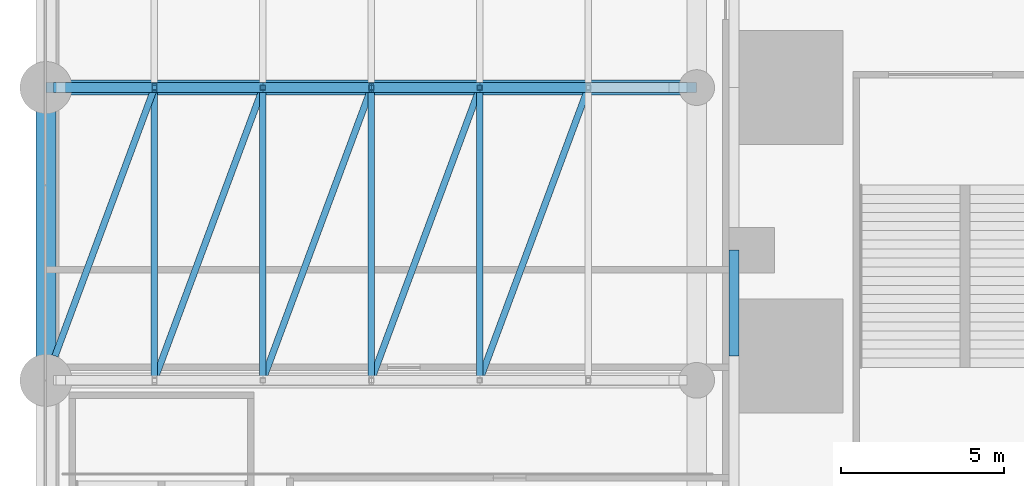
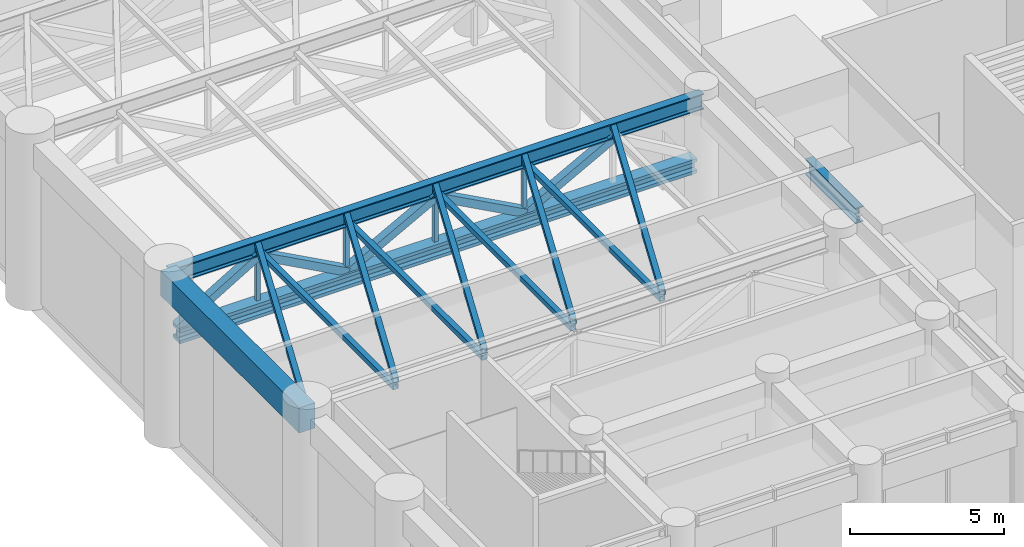
# One storey, part 5 of 30: 20 members, 2 beams.
"""IFC4 building model written with IfcOpenShell, lengths in metres."""

import ifcopenshell
import ifcopenshell.guid

model = None  # the IFC model being written
_history = None  # IfcOwnerHistory: only IFC2X3 demands one
_inside = {}  # id of a spatial element -> (the spatial element, [elements in it])
_under = {}  # id of a project, library or spatial element -> (it, [spatial elements below it])
_declared = {}  # id of a project -> (the project, [libraries it declares])
_typed = {}  # id of a type object -> (the type object, [elements of that type])
_made_of = {}  # id of a material, layer set ... -> (it, [elements and type objects made of it])


def new_model(schema):
    """Start an empty IFC model of exactly this schema.

    Asked for "IFC4X3", IfcOpenShell would pick the latest addendum, in which some entities
    have other attributes; the version numbers below select the first issue.
    IFC2X3 requires an IfcOwnerHistory on every rooted entity: one is made here for all.
    """
    global model, _history
    if schema == "IFC4X3":
        model = ifcopenshell.file(schema_version=(4, 3, 0, 0))
    else:
        model = ifcopenshell.file(schema=schema)
    _inside.clear()
    _under.clear()
    _declared.clear()
    _typed.clear()
    _made_of.clear()
    _history = None
    if model.schema == "IFC2X3":
        org = make("IfcOrganization", Name="unknown")
        user = make(
            "IfcPersonAndOrganization",
            ThePerson=make("IfcPerson", FamilyName="unknown"),
            TheOrganization=org,
        )
        app = make(
            "IfcApplication",
            ApplicationDeveloper=org,
            Version="unknown",
            ApplicationFullName="unknown",
            ApplicationIdentifier="unknown",
        )
        _history = make(
            "IfcOwnerHistory",
            OwningUser=user,
            OwningApplication=app,
            ChangeAction="ADDED",
            CreationDate=0,
        )
    return model


def make(cls, **values):
    """One entity of the class cls with the attributes given. An attribute that is None is left unset."""
    return model.create_entity(
        cls, **{name: value for name, value in values.items() if value is not None}
    )


def rooted(cls, **values):
    """An entity with a GlobalId (a new one), such as an element, a storey or a relation."""
    return make(cls, GlobalId=ifcopenshell.guid.new(), OwnerHistory=_history, **values)


def si_unit(unit_type, name, prefix=None):
    """IfcSIUnit, for example si_unit("LENGTHUNIT", "METRE", prefix="MILLI")."""
    return make("IfcSIUnit", UnitType=unit_type, Prefix=prefix, Name=name)


def assignment(units):
    """IfcUnitAssignment: the units of a project."""
    return None if units is None else make("IfcUnitAssignment", Units=units)


def point(xyz):
    """IfcCartesianPoint."""
    return None if xyz is None else make("IfcCartesianPoint", Coordinates=xyz)


def direction(xyz):
    """IfcDirection."""
    return None if xyz is None else make("IfcDirection", DirectionRatios=xyz)


def frame(location, z_axis=None, x_axis=None):
    """IfcAxis2Placement3D, a coordinate frame: its origin and axes. An axis left out is left unset."""
    return make(
        "IfcAxis2Placement3D",
        Location=point(location),
        Axis=direction(z_axis),
        RefDirection=direction(x_axis),
    )


def frame_2d(location, x_axis=None):
    """IfcAxis2Placement2D, a coordinate frame in the plane: its origin and x axis."""
    return make(
        "IfcAxis2Placement2D", Location=point(location), RefDirection=direction(x_axis)
    )


def origin():
    """The frame at (0, 0, 0) with its axes left unset."""
    return frame((0.0, 0.0, 0.0))


def origin_2d():
    """The frame at (0, 0) in the plane with its x axis left unset."""
    return frame_2d((0.0, 0.0))


def place(relative_to, where):
    """IfcLocalPlacement: puts the frame where relative to a parent placement (None: the world)."""
    return make(
        "IfcLocalPlacement", PlacementRelTo=relative_to, RelativePlacement=where
    )


def context(
    kind, dimensions, precision=None, world=None, true_north=None, identifier=None
):
    """IfcGeometricRepresentationContext, for example the 3D "Model" context."""
    return make(
        "IfcGeometricRepresentationContext",
        ContextIdentifier=identifier,
        ContextType=kind,
        CoordinateSpaceDimension=dimensions,
        Precision=precision,
        WorldCoordinateSystem=world,
        TrueNorth=true_north,
    )


def subcontext(parent, identifier, kind, view, scale=None):
    """IfcGeometricRepresentationSubContext, for example "Body" below "Model"."""
    return make(
        "IfcGeometricRepresentationSubContext",
        ContextIdentifier=identifier,
        ContextType=kind,
        ParentContext=parent,
        TargetScale=scale,
        TargetView=view,
    )


def project(units=None, contexts=None):
    """IfcProject with its units and contexts."""
    return rooted(
        "IfcProject",
        Name="project",
        RepresentationContexts=contexts,
        UnitsInContext=assignment(units),
    )


def spatial(cls, under=None, at=None, **own):
    """A site, building, storey or space (cls), placed at a placement, below another one or the project."""
    s = rooted(cls, ObjectPlacement=at, **own)
    if under is not None:
        _under.setdefault(under.id(), (under, []))[1].append(s)
    return s


def profile(cls, at=None, kind="AREA", **sizes):
    """A parametric profile (cls). Its sizes go by their IFC names, for example OverallWidth=200.0."""
    return make(cls, ProfileType=kind, Position=at, **sizes)


def rectangle(**sizes):
    """IfcRectangleProfileDef."""
    return profile("IfcRectangleProfileDef", **sizes)


def hollow_rectangle(**sizes):
    """IfcRectangleHollowProfileDef."""
    return profile("IfcRectangleHollowProfileDef", **sizes)


def i_section(**sizes):
    """IfcIShapeProfileDef."""
    return profile("IfcIShapeProfileDef", **sizes)


def extrude(swept, where, along, depth):
    """IfcExtrudedAreaSolid: the profile swept, set in the frame where, extruded along a direction by depth."""
    return make(
        "IfcExtrudedAreaSolid",
        SweptArea=swept,
        Position=where,
        ExtrudedDirection=direction(along),
        Depth=depth,
    )


def shape(context_of_items, identifier, shape_type, items):
    """IfcShapeRepresentation: the items that make up one representation, for example the "Body"."""
    return make(
        "IfcShapeRepresentation",
        ContextOfItems=context_of_items,
        RepresentationIdentifier=identifier,
        RepresentationType=shape_type,
        Items=items,
    )


def material(Name=None, Category=None):
    """IfcMaterial."""
    return make("IfcMaterial", Name=Name, Category=Category)


def material_profile(
    of_material, cross_section, Name=None, Category=None, Priority=None
):
    """IfcMaterialProfile: a cross section and its material."""
    return make(
        "IfcMaterialProfile",
        Name=Name,
        Material=of_material,
        Profile=cross_section,
        Priority=Priority,
        Category=Category,
    )


def profile_set(profiles, Name=None, composite=None):
    """IfcMaterialProfileSet."""
    return make(
        "IfcMaterialProfileSet",
        Name=Name,
        MaterialProfiles=profiles,
        CompositeProfile=composite,
    )


def made_of(thing, what):
    """Note that an element or type object is made of a material, layer set ...; save() writes the relation."""
    if what is not None:
        _made_of.setdefault(what.id(), (what, []))[1].append(thing)
    return thing


def type_object(cls, material=None, **own):
    """A type object (cls), such as IfcWallType, which elements share."""
    return made_of(rooted(cls, **own), material)


def element(
    cls,
    number,
    at=None,
    inside=None,
    cuts=None,
    type_object=None,
    material=None,
    context=None,
    identifier="Body",
    shape_type=None,
    held_by="IfcProductDefinitionShape",
    body=None,
    shapes=None,
    **own,
):
    """One element of the class cls, such as IfcWall. Its Tag is "e" and its number.

    at: its placement. inside: the storey or other place that contains it. cuts: it is an
    opening in that element (IfcRelVoidsElement). A single representation is given by context,
    identifier, shape_type and body (its items); several are given by shapes. held_by: the class
    of the entity that holds the representations. save() writes the other relations.
    """
    e = rooted(cls, Tag="e%d" % number, ObjectPlacement=at, **own)
    if body is not None:
        shapes = [shape(context, identifier, shape_type, body)]
    if shapes is not None:
        e.Representation = make(held_by, Representations=shapes)
    if inside is not None:
        _inside.setdefault(inside.id(), (inside, []))[1].append(e)
    if cuts is not None:
        rooted(
            "IfcRelVoidsElement", RelatingBuildingElement=cuts, RelatedOpeningElement=e
        )
    if type_object is not None:
        _typed.setdefault(type_object.id(), (type_object, []))[1].append(e)
    return made_of(e, material)


def aggregate(whole, parts):
    """IfcRelAggregates: a whole, such as a stair, and the parts it consists of."""
    return rooted("IfcRelAggregates", RelatingObject=whole, RelatedObjects=parts)


def save(model, path):
    """Write the relations noted so far, then the file.

    IfcRelAggregates (storeys below a building ...), IfcRelContainedInSpatialStructure (elements
    in a storey), IfcRelDefinesByType, IfcRelAssociatesMaterial and IfcRelDeclares: one each for
    every whole, place, type object, material and project.
    """
    for whole, parts in _under.values():
        aggregate(whole, parts)
    for where, things in _inside.values():
        rooted(
            "IfcRelContainedInSpatialStructure",
            RelatedElements=things,
            RelatingStructure=where,
        )
    for kind, things in _typed.values():
        rooted("IfcRelDefinesByType", RelatedObjects=things, RelatingType=kind)
    for what, things in _made_of.values():
        rooted("IfcRelAssociatesMaterial", RelatedObjects=things, RelatingMaterial=what)
    for by, libraries in _declared.values():
        rooted("IfcRelDeclares", RelatingContext=by, RelatedDefinitions=libraries)
    model.write(path)


model = new_model("IFC4")

# Units and contexts
model_context = context("Model", 3, precision=1e-05, world=origin(), true_north=direction((0.0, 1.0)))
body_context = subcontext(model_context, "Body", "Model", "MODEL_VIEW")
ifc_project = project(units=[si_unit("LENGTHUNIT", "METRE"), si_unit("AREAUNIT", "SQUARE_METRE"), si_unit("VOLUMEUNIT", "CUBIC_METRE"), si_unit("PLANEANGLEUNIT", "RADIAN"), si_unit("MASSUNIT", "GRAM", prefix="KILO")], contexts=[model_context])

# Site, building, storey
site_placement = place(None, origin())
site = spatial("IfcSite", under=ifc_project, at=site_placement, CompositionType="ELEMENT")
building_placement = place(site_placement, origin())
building = spatial("IfcBuilding", under=site, at=building_placement, Name="Svetlomir Tower", CompositionType="ELEMENT")
storey_placement = place(building_placement, frame((0.0, 0.0, 11.0)))
storey = spatial("IfcBuildingStorey", under=building, at=storey_placement, Name="L02", CompositionType="ELEMENT", Elevation=11.0)

# Members
ifc_material_1 = material(Name="Steel S355", Category="steel")
ifc_material_profile_1 = material_profile(ifc_material_1, i_section(OverallWidth=0.4541015625, OverallDepth=0.569091796875, WebThickness=0.077880859375, FlangeThickness=0.125, FilletRadius=0.014892578125, at=origin_2d()), Name="HD 400x1086")
ifc_profile_set_1 = profile_set([ifc_material_profile_1], Name="Steel S355")
member_type_1 = type_object("IfcMemberType", Name="AUDITORIUM TRUSS BOTTOM CHORD HD 400x1086", PredefinedType="CHORD", material=ifc_profile_set_1)
member_1_placement = place(storey_placement, frame((-20.699951171875, 21.0, 3.889892578125), z_axis=(1.0, 0.0, 0.0), x_axis=(0.0, 1.0, 0.0)))
element("IfcMember", 1, at=member_1_placement, inside=storey, type_object=member_type_1, Name="Auditorium truss 21 bottom chord", PredefinedType="CHORD", context=body_context, shape_type="SweptSolid", body=[
    extrude(i_section(OverallWidth=0.4541015625, OverallDepth=0.569091796875, WebThickness=0.077880859375, FlangeThickness=0.125, FilletRadius=0.014892578125, at=origin_2d()), origin(), (0.0, 0.0, 1.0), 19.39990234375),
])
ifc_material_2 = material(Name="Steel S355", Category="steel")
ifc_material_profile_2 = material_profile(ifc_material_2, i_section(OverallWidth=0.304931640625, OverallDepth=0.6201171875, WebThickness=0.02099609375, FlangeThickness=0.0400390625, FilletRadius=0.027099609375, at=origin_2d()), Name="HEM 600")
ifc_profile_set_2 = profile_set([ifc_material_profile_2], Name="Steel S355")
member_type_2 = type_object("IfcMemberType", Name="AUDITORIUM TRUSS CHORD HEM 600", PredefinedType="CHORD", material=ifc_profile_set_2)
member_2_placement = place(storey_placement, frame((-21.0, 21.0, 6.2900390625), z_axis=(1.0, 0.0, 0.0), x_axis=(0.0, 1.0, 0.0)))
element("IfcMember", 2, at=member_2_placement, inside=storey, type_object=member_type_2, Name="Auditorium truss 21 top chord", PredefinedType="CHORD", context=body_context, shape_type="SweptSolid", body=[
    extrude(i_section(OverallWidth=0.304931640625, OverallDepth=0.6201171875, WebThickness=0.02099609375, FlangeThickness=0.0400390625, FilletRadius=0.027099609375, at=origin_2d()), origin(), (0.0, 0.0, 1.0), 20.0),
])
ifc_material_3 = material(Name="Steel S355", Category="steel")
ifc_material_profile_3 = material_profile(ifc_material_3, hollow_rectangle(XDim=0.300048828125, YDim=0.300048828125, WallThickness=0.02001953125, at=origin_2d()), Name="SHS 300x300x20")
ifc_profile_set_3 = profile_set([ifc_material_profile_3], Name="Steel S355")
member_type_3 = type_object("IfcMemberType", Name="AUDITORIUM TRUSS DIAGONAL SHS 300x300x20", PredefinedType="BRACE", material=ifc_profile_set_3)
member_3_placement = place(storey_placement, frame((-20.699951171875, 21.0, 4.174560546875), z_axis=(0.859300122136, 0.0, 0.511471700193), x_axis=(0.0, 1.0, 0.0)))
element("IfcMember", 3, at=member_3_placement, inside=storey, type_object=member_type_3, Name="Auditorium truss 21 diagonal 1", PredefinedType="BRACE", context=body_context, shape_type="SweptSolid", body=[
    extrude(hollow_rectangle(XDim=0.300048828125, YDim=0.300048828125, WallThickness=0.02001953125, at=origin_2d()), origin(), (0.0, 0.0, 1.0), 3.52978515625),
])
member_4_placement = place(storey_placement, frame((-17.666748046875, 21.0, 5.97998046875), z_axis=(0.879316688011, 0.0, -0.476237506067), x_axis=(0.0, 1.0, 0.0)))
element("IfcMember", 4, at=member_4_placement, inside=storey, type_object=member_type_3, Name="Auditorium truss 21 diagonal 2", PredefinedType="BRACE", context=body_context, shape_type="SweptSolid", body=[
    extrude(hollow_rectangle(XDim=0.300048828125, YDim=0.300048828125, WallThickness=0.02001953125, at=origin_2d()), origin(), (0.0, 0.0, 1.0), 3.791015625),
])
for number, where, z_axis, x_axis, name in (
    (5, (-14.333251953125, 21.0, 4.174560546875), (0.879302080726, 0.0, 0.476264475717), (0.0, 1.0, 0.0), "Auditorium truss 21 diagonal 3"),
    (6, (-11.0, 21.0, 5.97998046875), (0.879302080726, 0.0, -0.476264475717), (0.0, 1.0, 0.0), "Auditorium truss 21 diagonal 4"),
):
    element("IfcMember", number, at=place(storey_placement, frame(where, z_axis=z_axis, x_axis=x_axis)), inside=storey, type_object=member_type_3, Name=name, PredefinedType="BRACE", context=body_context, shape_type="SweptSolid", body=[
        extrude(hollow_rectangle(XDim=0.300048828125, YDim=0.300048828125, WallThickness=0.02001953125, at=origin_2d()), origin(), (0.0, 0.0, 1.0), 3.790771484375),
    ])
member_5_placement = place(storey_placement, frame((-7.666748046875, 21.0, 4.174560546875), z_axis=(0.879316688011, 0.0, 0.476237506067), x_axis=(0.0, 1.0, 0.0)))
element("IfcMember", 7, at=member_5_placement, inside=storey, type_object=member_type_3, Name="Auditorium truss 21 diagonal 5", PredefinedType="BRACE", context=body_context, shape_type="SweptSolid", body=[
    extrude(hollow_rectangle(XDim=0.300048828125, YDim=0.300048828125, WallThickness=0.02001953125, at=origin_2d()), origin(), (0.0, 0.0, 1.0), 3.791015625),
])
ifc_material_4 = material(Name="Steel S355", Category="steel")
ifc_material_profile_4 = material_profile(ifc_material_4, hollow_rectangle(XDim=0.199951171875, YDim=0.199951171875, WallThickness=0.010009765625, at=origin_2d()), Name="SHS 200x200x10")
ifc_profile_set_4 = profile_set([ifc_material_profile_4], Name="Steel S355")
member_type_4 = type_object("IfcMemberType", Name="AUDITORIUM TRUSS PLAN BRACE SHS 200x200x10", PredefinedType="BRACE", material=ifc_profile_set_4)
member_6_placement = place(storey_placement, frame((-20.7216796875, 12.75, 6.419921875), z_axis=(0.347640987237, 0.93762772143, 0.0), x_axis=(-0.93762772143, 0.347640987237, 0.0)))
element("IfcMember", 8, at=member_6_placement, inside=storey, type_object=member_type_4, Name="Auditorium truss plan brace 1 grid 12 to 21", PredefinedType="BRACE", context=body_context, shape_type="SweptSolid", body=[
    extrude(hollow_rectangle(XDim=0.199951171875, YDim=0.199951171875, WallThickness=0.010009765625, at=origin_2d()), origin(), (0.0, 0.0, 1.0), 8.78759765625),
])
member_7_placement = place(storey_placement, frame((-17.666748046875, 12.010498046875, 6.419921875), z_axis=(0.348043166024, 0.937478508865, 0.0), x_axis=(-0.937478508865, 0.348043166024, 0.0)))
element("IfcMember", 9, at=member_7_placement, inside=storey, type_object=member_type_4, Name="Auditorium truss plan brace 2 grid 12 to 21", PredefinedType="BRACE", context=body_context, shape_type="SweptSolid", body=[
    extrude(hollow_rectangle(XDim=0.199951171875, YDim=0.199951171875, WallThickness=0.010009765625, at=origin_2d()), origin(), (0.0, 0.0, 1.0), 9.577880859375),
])
for number, where, z_axis, x_axis, name in (
    (10, (-14.333251953125, 12.010498046875, 6.419921875), (0.348020763259, 0.937486825689, 0.0), (-0.937486825689, 0.348020763259, 0.0), "Auditorium truss plan brace 3 grid 12 to 21"),
    (11, (-11.0, 12.010498046875, 6.419921875), (0.348020763259, 0.937486825689, 0.0), (-0.937486825689, 0.348020763259, 0.0), "Auditorium truss plan brace 4 grid 12 to 21"),
):
    element("IfcMember", number, at=place(storey_placement, frame(where, z_axis=z_axis, x_axis=x_axis)), inside=storey, type_object=member_type_4, Name=name, PredefinedType="BRACE", context=body_context, shape_type="SweptSolid", body=[
        extrude(hollow_rectangle(XDim=0.199951171875, YDim=0.199951171875, WallThickness=0.010009765625, at=origin_2d()), origin(), (0.0, 0.0, 1.0), 9.57763671875),
    ])
member_8_placement = place(storey_placement, frame((-7.666748046875, 12.010498046875, 6.419921875), z_axis=(0.348043166024, 0.937478508865, 0.0), x_axis=(-0.937478508865, 0.348043166024, 0.0)))
element("IfcMember", 12, at=member_8_placement, inside=storey, type_object=member_type_4, Name="Auditorium truss plan brace 5 grid 12 to 21", PredefinedType="BRACE", context=body_context, shape_type="SweptSolid", body=[
    extrude(hollow_rectangle(XDim=0.199951171875, YDim=0.199951171875, WallThickness=0.010009765625, at=origin_2d()), origin(), (0.0, 0.0, 1.0), 9.577880859375),
])
ifc_material_5 = material(Name="Steel S355", Category="steel")
ifc_material_profile_5 = material_profile(ifc_material_5, hollow_rectangle(XDim=0.199951171875, YDim=0.199951171875, WallThickness=0.010009765625, at=origin_2d()), Name="SHS 200x200x10")
ifc_profile_set_5 = profile_set([ifc_material_profile_5], Name="Steel S355")
member_type_5 = type_object("IfcMemberType", Name="AUDITORIUM TRUSS PLAN TIE SHS 200x200x10", PredefinedType="BRACE", material=ifc_profile_set_5)
for number, where, z_axis, x_axis, name in (
    (13, (-17.666748046875, 12.010498046875, 6.159912109375), (0.0, 1.0, 0.0), (-1.0, 0.0, 0.0), "Auditorium truss plan tie 1 grid 12 to 21"),
    (14, (-14.333251953125, 12.010498046875, 6.159912109375), (0.0, 1.0, 0.0), (-1.0, 0.0, 0.0), "Auditorium truss plan tie 2 grid 12 to 21"),
    (15, (-11.0, 12.010498046875, 6.159912109375), (0.0, 1.0, 0.0), (-1.0, 0.0, 0.0), "Auditorium truss plan tie 3 grid 12 to 21"),
    (16, (-7.666748046875, 12.010498046875, 6.159912109375), (0.0, 1.0, 0.0), (-1.0, 0.0, 0.0), "Auditorium truss plan tie 4 grid 12 to 21"),
):
    element("IfcMember", number, at=place(storey_placement, frame(where, z_axis=z_axis, x_axis=x_axis)), inside=storey, type_object=member_type_5, Name=name, PredefinedType="BRACE", context=body_context, shape_type="SweptSolid", body=[
        extrude(hollow_rectangle(XDim=0.199951171875, YDim=0.199951171875, WallThickness=0.010009765625, at=origin_2d()), origin(), (0.0, 0.0, 1.0), 8.97900390625),
    ])
ifc_material_6 = material(Name="Steel S355", Category="steel")
ifc_material_profile_6 = material_profile(ifc_material_6, hollow_rectangle(XDim=0.14990234375, YDim=0.14990234375, WallThickness=0.008056640625, at=origin_2d()), Name="SHS 150x150x8")
ifc_profile_set_6 = profile_set([ifc_material_profile_6], Name="Steel S355")
member_type_6 = type_object("IfcMemberType", Name="AUDITORIUM TRUSS POST SHS 150x150x8", PredefinedType="POST", material=ifc_profile_set_6)
for number, where, z_axis, x_axis, name in (
    (17, (-17.666748046875, 21.0, 4.174560546875), (0.0, 0.0, 1.0), (1.0, 0.0, 0.0), "Auditorium truss 21 post 1"),
    (18, (-14.333251953125, 21.0, 4.174560546875), (0.0, 0.0, 1.0), (1.0, 0.0, 0.0), "Auditorium truss 21 post 2"),
    (19, (-11.0, 21.0, 4.174560546875), (0.0, 0.0, 1.0), (1.0, 0.0, 0.0), "Auditorium truss 21 post 3"),
    (20, (-7.666748046875, 21.0, 4.174560546875), (0.0, 0.0, 1.0), (1.0, 0.0, 0.0), "Auditorium truss 21 post 4"),
):
    element("IfcMember", number, at=place(storey_placement, frame(where, z_axis=z_axis, x_axis=x_axis)), inside=storey, type_object=member_type_6, Name=name, PredefinedType="POST", context=body_context, shape_type="SweptSolid", body=[
        extrude(hollow_rectangle(XDim=0.14990234375, YDim=0.14990234375, WallThickness=0.008056640625, at=origin_2d()), origin(), (0.0, 0.0, 1.0), 1.805419921875),
    ])

# Beams
ifc_material_7 = material(Name="Concrete C60/75", Category="concrete")
ifc_material_profile_7 = material_profile(ifc_material_7, rectangle(XDim=0.60009765625, YDim=1.0, at=origin_2d()), Name="RC 600x1000")
ifc_profile_set_7 = profile_set([ifc_material_profile_7], Name="Concrete C60/75")
beam_type_1 = type_object("IfcBeamType", Name="PODIUM BEAM RC 600x1000", PredefinedType="BEAM", material=ifc_profile_set_7)
beam_1_placement = place(storey_placement, frame((-21.0, 12.0, 6.10009765625), z_axis=(0.0, 1.0, 0.0), x_axis=(-1.0, 0.0, 0.0)))
element("IfcBeam", 21, at=beam_1_placement, inside=storey, type_object=beam_type_1, Name="Podium beam -21/12 to -21/21 under L03", PredefinedType="BEAM", context=body_context, shape_type="SweptSolid", body=[
    extrude(rectangle(XDim=0.60009765625, YDim=1.0, at=origin_2d()), origin(), (0.0, 0.0, 1.0), 9.0),
])
ifc_material_8 = material(Name="Steel S355", Category="steel")
ifc_material_profile_8 = material_profile(ifc_material_8, i_section(OverallWidth=0.304931640625, OverallDepth=0.6201171875, WebThickness=0.02099609375, FlangeThickness=0.0400390625, FilletRadius=0.027099609375, at=origin_2d()), Name="HEM 600")
ifc_profile_set_8 = profile_set([ifc_material_profile_8], Name="Steel S355")
beam_type_2 = type_object("IfcBeamType", Name="PODIUM EDGE BEAM HEM 600", PredefinedType="BEAM", material=ifc_profile_set_8)
beam_2_placement = place(storey_placement, frame((0.152587890625, 12.75, 6.2900390625), z_axis=(0.0, 1.0, 0.0), x_axis=(-1.0, 0.0, 0.0)))
element("IfcBeam", 22, at=beam_2_placement, inside=storey, type_object=beam_type_2, Name="Podium beam 0/11 to 0/16 under L03", PredefinedType="BEAM", context=body_context, shape_type="SweptSolid", body=[
    extrude(i_section(OverallWidth=0.304931640625, OverallDepth=0.6201171875, WebThickness=0.02099609375, FlangeThickness=0.0400390625, FilletRadius=0.027099609375, at=origin_2d()), origin(), (0.0, 0.0, 1.0), 3.25),
])

save(model, "model.ifc")
